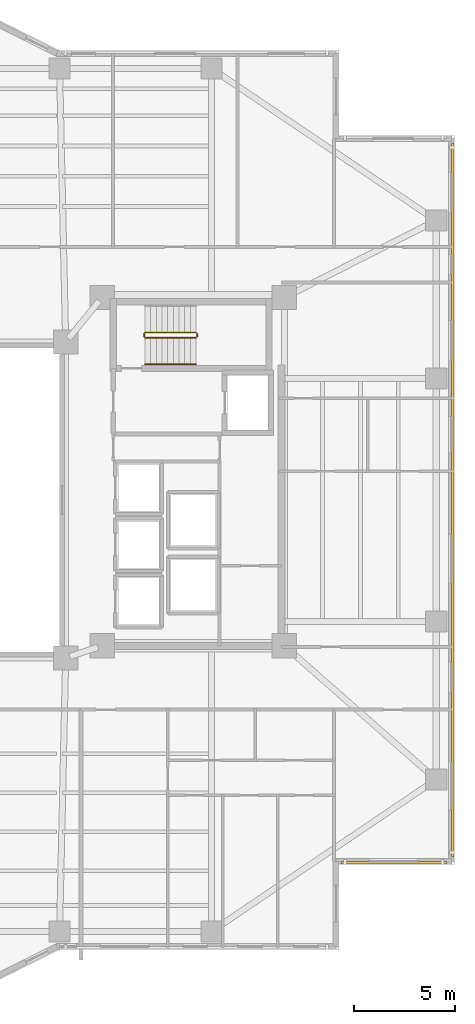
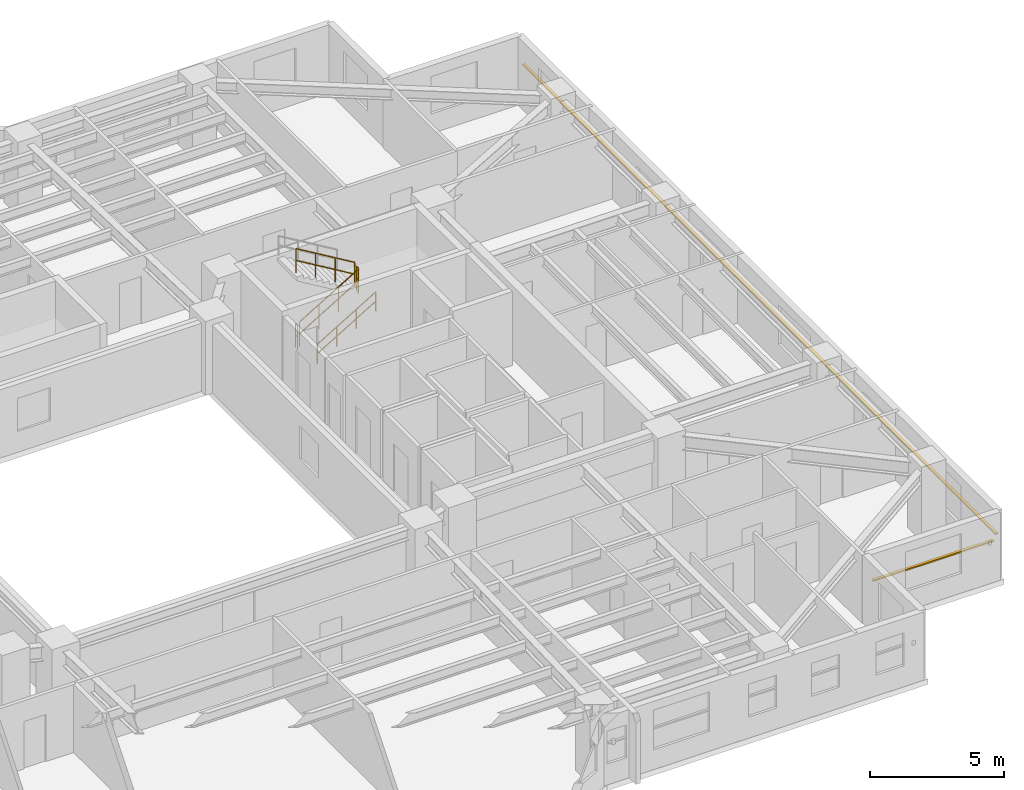
# One storey, part 16 of 18: 5 railings, 2 shading devices.
"""IFC4 building model written with IfcOpenShell, lengths in metres."""

from ifc_helpers import new_model, si_unit, direction, frame, origin, origin_2d, place, context, subcontext, project, spatial, rectangle, circle, extrude, material, material_profile, profile_set, type_object, element, save


model = new_model("IFC4")

# Units and contexts
model_context = context("Model", 3, precision=1e-05, world=origin(), true_north=direction((0.0, 1.0)))
body_context = subcontext(model_context, "Body", "Model", "MODEL_VIEW")
ifc_project = project(units=[si_unit("LENGTHUNIT", "METRE"), si_unit("AREAUNIT", "SQUARE_METRE"), si_unit("VOLUMEUNIT", "CUBIC_METRE"), si_unit("PLANEANGLEUNIT", "RADIAN"), si_unit("MASSUNIT", "GRAM", prefix="KILO")], contexts=[model_context])

# Site, building, storey
site_placement = place(None, origin())
site = spatial("IfcSite", under=ifc_project, at=site_placement, CompositionType="ELEMENT")
building_placement = place(site_placement, origin())
building = spatial("IfcBuilding", under=site, at=building_placement, Name="Tarnavaz Court Tower", CompositionType="ELEMENT")
storey_placement = place(building_placement, frame((0.0, 0.0, 108.449951171875)))
storey = spatial("IfcBuildingStorey", under=building, at=storey_placement, Name="L29", CompositionType="ELEMENT", Elevation=108.449951171875)

# Railings
ifc_material_1 = material(Name="Brushed Stainless Steel", Category="steel")
railing_type_1 = type_object("IfcRailingType", Name="RL-HANDRAIL-900", PredefinedType="HANDRAIL", material=ifc_material_1)
railing_1_placement = place(storey_placement, frame((11.719970703125, 6.699951171875, 0.16748046875)))
element("IfcRailing", 1, at=railing_1_placement, inside=storey, type_object=railing_type_1, Name="L29 ST-E1 stair handrail 1", PredefinedType="HANDRAIL", context=body_context, shape_type="SweptSolid", body=[
    extrude(circle(Radius=0.02392578125, at=origin_2d()), frame((0.0, 0.0, 0.8759765625), z_axis=(0.858159760407, 0.0, 0.513382728203), x_axis=(0.0, 1.0, 0.0)), (0.0, 0.0, 1.0), 2.9365234375),
    extrude(circle(Radius=0.02392578125, at=origin_2d()), frame((0.0, 0.0, 0.449951171875), z_axis=(0.858159760407, 0.0, 0.513382728203), x_axis=(0.0, 1.0, 0.0)), (0.0, 0.0, 1.0), 2.9365234375),
    extrude(circle(Radius=0.02099609375, at=origin_2d()), origin(), (0.0, 0.0, 1.0), 0.851806640625),
    extrude(circle(Radius=0.02099609375, at=origin_2d()), frame((0.840087890625, 0.0, 0.50244140625)), (0.0, 0.0, 1.0), 0.851806640625),
    extrude(circle(Radius=0.02099609375, at=origin_2d()), frame((1.679931640625, 0.0, 1.005126953125)), (0.0, 0.0, 1.0), 0.851806640625),
    extrude(circle(Radius=0.02099609375, at=origin_2d()), frame((2.52001953125, 0.0, 1.507568359375)), (0.0, 0.0, 1.0), 0.851806640625),
])
ifc_material_2 = material(Name="Galvanized Painted Tubular Steel", Category="steel")
railing_type_2 = type_object("IfcRailingType", Name="RL-STGUARD-1120", PredefinedType="GUARDRAIL", material=ifc_material_2)
railing_2_placement = place(storey_placement, frame((11.719970703125, 8.02001953125, 0.16748046875)))
element("IfcRailing", 2, at=railing_2_placement, inside=storey, type_object=railing_type_2, Name="L29 ST-E1 stair guard 1", PredefinedType="GUARDRAIL", context=body_context, shape_type="SweptSolid", body=[
    extrude(circle(Radius=0.02392578125, at=origin_2d()), frame((0.0, 0.0, 1.09619140625), z_axis=(0.858159760407, 0.0, 0.513382728203), x_axis=(0.0, 1.0, 0.0)), (0.0, 0.0, 1.0), 2.9365234375),
    extrude(circle(Radius=0.02392578125, at=origin_2d()), frame((0.0, 0.0, 0.56005859375), z_axis=(0.858159760407, 0.0, 0.513382728203), x_axis=(0.0, 1.0, 0.0)), (0.0, 0.0, 1.0), 2.9365234375),
    extrude(circle(Radius=0.02099609375, at=origin_2d()), origin(), (0.0, 0.0, 1.0), 1.072021484375),
    extrude(circle(Radius=0.02099609375, at=origin_2d()), frame((0.840087890625, 0.0, 0.50244140625)), (0.0, 0.0, 1.0), 1.072021484375),
    extrude(circle(Radius=0.02099609375, at=origin_2d()), frame((1.679931640625, 0.0, 1.005126953125)), (0.0, 0.0, 1.0), 1.072021484375),
    extrude(circle(Radius=0.02099609375, at=origin_2d()), frame((2.52001953125, 0.0, 1.507568359375)), (0.0, 0.0, 1.0), 1.072021484375),
])
railing_3_placement = place(storey_placement, frame((14.2900390625, 8.070068359375, 1.675048828125)))
element("IfcRailing", 3, at=railing_3_placement, inside=storey, type_object=railing_type_2, Name="L29 ST-E1 stair guard 2", PredefinedType="GUARDRAIL", context=body_context, shape_type="SweptSolid", body=[
    extrude(circle(Radius=0.02392578125, at=origin_2d()), frame((0.0, 0.0, 1.09619140625), z_axis=(0.0, 1.0, 0.0), x_axis=(-1.0, 0.0, 0.0)), (0.0, 0.0, 1.0), 0.14990234375),
    extrude(circle(Radius=0.02392578125, at=origin_2d()), frame((0.0, 0.0, 0.56005859375), z_axis=(0.0, 1.0, 0.0), x_axis=(-1.0, 0.0, 0.0)), (0.0, 0.0, 1.0), 0.14990234375),
    extrude(circle(Radius=0.02099609375, at=origin_2d()), origin(), (0.0, 0.0, 1.0), 1.072021484375),
    extrude(circle(Radius=0.02099609375, at=origin_2d()), frame((0.0, 0.14990234375, 0.0)), (0.0, 0.0, 1.0), 1.072021484375),
])
railing_4_placement = place(storey_placement, frame((14.239990234375, 8.27001953125, 1.842529296875)))
element("IfcRailing", 4, at=railing_4_placement, inside=storey, type_object=railing_type_2, Name="L29 ST-E1 stair guard 3", PredefinedType="GUARDRAIL", context=body_context, shape_type="SweptSolid", body=[
    extrude(circle(Radius=0.02392578125, at=origin_2d()), frame((0.0, 0.0, 1.09619140625), z_axis=(-0.858159760407, 0.0, 0.513382728203), x_axis=(0.0, -1.0, 0.0)), (0.0, 0.0, 1.0), 2.9365234375),
    extrude(circle(Radius=0.02392578125, at=origin_2d()), frame((0.0, 0.0, 0.56005859375), z_axis=(-0.858159760407, 0.0, 0.513382728203), x_axis=(0.0, -1.0, 0.0)), (0.0, 0.0, 1.0), 2.9365234375),
    extrude(circle(Radius=0.02099609375, at=origin_2d()), origin(), (0.0, 0.0, 1.0), 1.072021484375),
    extrude(circle(Radius=0.02099609375, at=origin_2d()), frame((-0.840087890625, 0.0, 0.50244140625)), (0.0, 0.0, 1.0), 1.072021484375),
    extrude(circle(Radius=0.02099609375, at=origin_2d()), frame((-1.679931640625, 0.0, 1.005126953125)), (0.0, 0.0, 1.0), 1.072021484375),
    extrude(circle(Radius=0.02099609375, at=origin_2d()), frame((-2.52001953125, 0.0, 1.507568359375)), (0.0, 0.0, 1.0), 1.072021484375),
])
railing_5_placement = place(storey_placement, frame((11.669921875, 8.070068359375, 0.0)))
element("IfcRailing", 5, at=railing_5_placement, inside=storey, type_object=railing_type_2, Name="L29 ST-E1 stair guard 4", PredefinedType="GUARDRAIL", context=body_context, shape_type="SweptSolid", body=[
    extrude(circle(Radius=0.02392578125, at=origin_2d()), frame((0.0, 0.0, 1.09619140625), z_axis=(0.0, 1.0, 0.0), x_axis=(-1.0, 0.0, 0.0)), (0.0, 0.0, 1.0), 0.14990234375),
    extrude(circle(Radius=0.02392578125, at=origin_2d()), frame((0.0, 0.0, 0.56005859375), z_axis=(0.0, 1.0, 0.0), x_axis=(-1.0, 0.0, 0.0)), (0.0, 0.0, 1.0), 0.14990234375),
    extrude(circle(Radius=0.02099609375, at=origin_2d()), origin(), (0.0, 0.0, 1.0), 1.072021484375),
    extrude(circle(Radius=0.02099609375, at=origin_2d()), frame((0.0, 0.14990234375, 0.0)), (0.0, 0.0, 1.0), 1.072021484375),
])

# Shading devices
ifc_material_3 = material(Name="Kiln-Fired Khorasan Terracotta Ceramic", Category="masonry")
ifc_material_profile = material_profile(ifc_material_3, rectangle(XDim=0.1201171875, YDim=0.06005859375, at=origin_2d()), Name="TC BAGUETTE 120X60")
ifc_profile_set = profile_set([ifc_material_profile], Name="Kiln-Fired Khorasan Terracotta Ceramic")
shading_device_type = type_object("IfcShadingDeviceType", Name="SD-BAG-120", PredefinedType="USERDEFINED", material=ifc_profile_set)
shading_device_1_placement = place(storey_placement, frame((26.909912109375, 17.60009765625, 1.85009765625), z_axis=(0.0, -1.0, 0.0), x_axis=(1.0, 0.0, 0.0)))
element("IfcShadingDevice", 6, at=shading_device_1_placement, inside=storey, type_object=shading_device_type, Name="L29 Terracotta Baguette Screen FBG12", ObjectType="BAGUETTE", PredefinedType="USERDEFINED", context=body_context, shape_type="SweptSolid", body=[
    extrude(rectangle(XDim=0.1201171875, YDim=0.06005859375, at=origin_2d()), origin(), (0.0, 0.0, 1.0), 35.2001953125),
])
shading_device_2_placement = place(storey_placement, frame((26.60009765625, -17.909912109375, 1.85009765625), z_axis=(-1.0, 0.0, 0.0), x_axis=(0.0, -1.0, 0.0)))
element("IfcShadingDevice", 7, at=shading_device_2_placement, inside=storey, type_object=shading_device_type, Name="L29 Terracotta Baguette Screen FBG13", ObjectType="BAGUETTE", PredefinedType="USERDEFINED", context=body_context, shape_type="SweptSolid", body=[
    extrude(rectangle(XDim=0.1201171875, YDim=0.06005859375, at=origin_2d()), origin(), (0.0, 0.0, 1.0), 5.2001953125),
])

save(model, "model.ifc")
